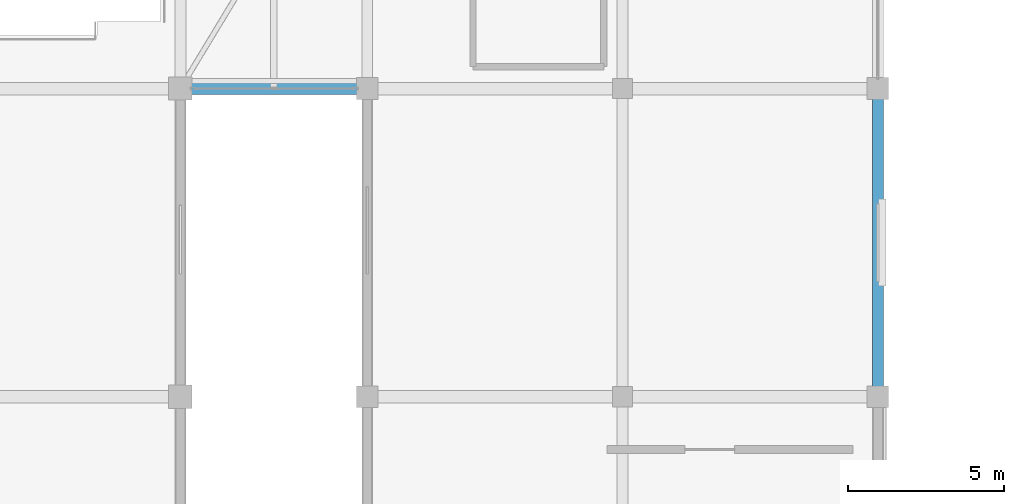
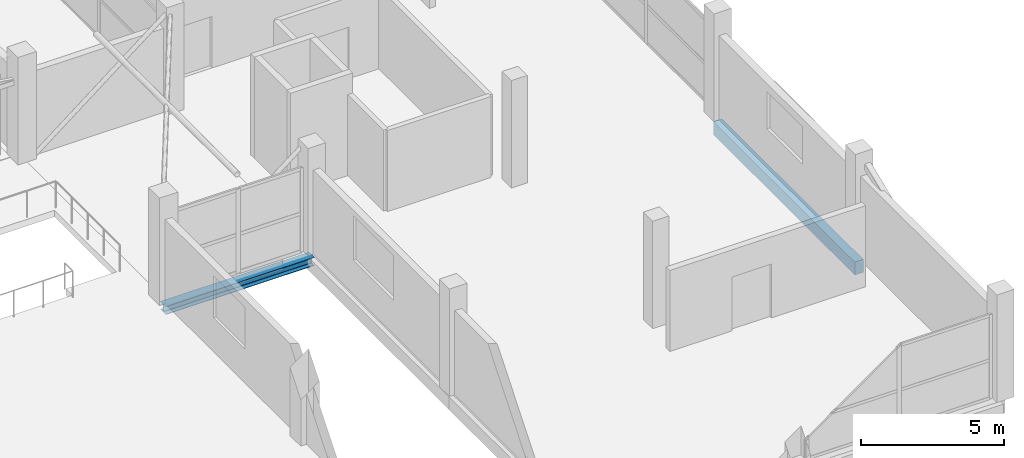
# One storey, part 15 of 69: 2 beams.
"""IFC4 building model written with IfcOpenShell, lengths in metres."""

from ifc_helpers import new_model, si_unit, direction, frame, origin, origin_2d, place, context, subcontext, project, spatial, rectangle, i_section, extrude, material, material_profile, profile_set, type_object, element, save


model = new_model("IFC4")

# Units and contexts
model_context = context("Model", 3, precision=1e-05, world=origin(), true_north=direction((0.0, 1.0)))
body_context = subcontext(model_context, "Body", "Model", "MODEL_VIEW")
ifc_project = project(units=[si_unit("LENGTHUNIT", "METRE"), si_unit("AREAUNIT", "SQUARE_METRE"), si_unit("VOLUMEUNIT", "CUBIC_METRE"), si_unit("PLANEANGLEUNIT", "RADIAN"), si_unit("MASSUNIT", "GRAM", prefix="KILO")], contexts=[model_context])

# Site, building, storey
site_placement = place(None, origin())
site = spatial("IfcSite", under=ifc_project, at=site_placement, CompositionType="ELEMENT")
building_placement = place(site_placement, origin())
building = spatial("IfcBuilding", under=site, at=building_placement, Name="Sillaruma Civic Art Gallery", CompositionType="ELEMENT")
storey_placement = place(building_placement, frame((0.0, 0.0, 42.330078125)))
storey = spatial("IfcBuildingStorey", under=building, at=storey_placement, Name="L08", CompositionType="ELEMENT", Elevation=42.330078125)

# Beams
ifc_material_1 = material(Name="Structural Steel ASTM A992 Gr.50", Category="steel")
ifc_material_profile_1 = material_profile(ifc_material_1, i_section(OverallWidth=0.368896484375, OverallDepth=0.35595703125, WebThickness=0.01123046875, FlangeThickness=0.01806640625, FilletRadius=0.014892578125, at=origin_2d()), Name="W360x134")
ifc_profile_set_1 = profile_set([ifc_material_profile_1], Name="Structural Steel ASTM A992 Gr.50")
beam_type_1 = type_object("IfcBeamType", Name="BM-BRIDGE-W360x134", PredefinedType="SPANDREL", material=ifc_profile_set_1)
beam_1_placement = place(storey_placement, frame((92.0, 39.60009765625, -0.4580078125), z_axis=(1.0, 0.0, 0.0), x_axis=(0.0, 1.0, 0.0)))
element("IfcBeam", 1, at=beam_1_placement, inside=storey, type_object=beam_type_1, Name="Sky-Bridge Steel Edge Girder (BRG-S:L08:S)", PredefinedType="SPANDREL", context=body_context, shape_type="SweptSolid", body=[
    extrude(i_section(OverallWidth=0.368896484375, OverallDepth=0.35595703125, WebThickness=0.01123046875, FlangeThickness=0.01806640625, FilletRadius=0.014892578125, at=origin_2d()), origin(), (0.0, 0.0, 1.0), 6.0),
])
ifc_material_2 = material(Name="Concrete H35 (35 MPa)", Category="concrete")
ifc_material_profile_2 = material_profile(ifc_material_2, rectangle(XDim=0.35009765625, YDim=0.550048828125, at=origin_2d()), Name="RCB350x550")
ifc_profile_set_2 = profile_set([ifc_material_profile_2], Name="Concrete H35 (35 MPa)")
beam_type_2 = type_object("IfcBeamType", Name="BM-SPANDREL-RCB350x550", PredefinedType="SPANDREL", material=ifc_profile_set_2)
beam_2_placement = place(storey_placement, frame((114.39990234375, 29.699951171875, -0.55517578125), z_axis=(0.0, 1.0, 0.0), x_axis=(-1.0, 0.0, 0.0)))
element("IfcBeam", 2, at=beam_2_placement, inside=storey, type_object=beam_type_2, Name="Beam BS-04 (L07:N:4-5)", PredefinedType="SPANDREL", context=body_context, shape_type="SweptSolid", body=[
    extrude(rectangle(XDim=0.35009765625, YDim=0.550048828125, at=origin_2d()), origin(), (0.0, 0.0, 1.0), 9.900146484375),
])

save(model, "model.ifc")
